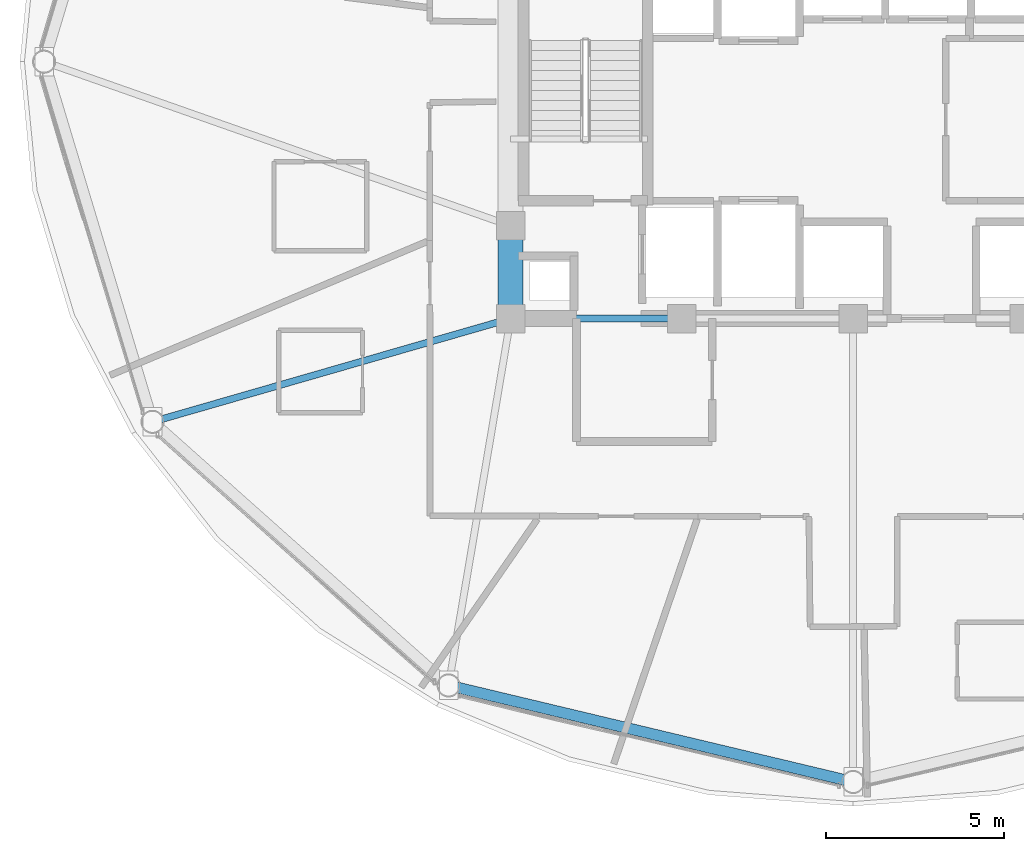
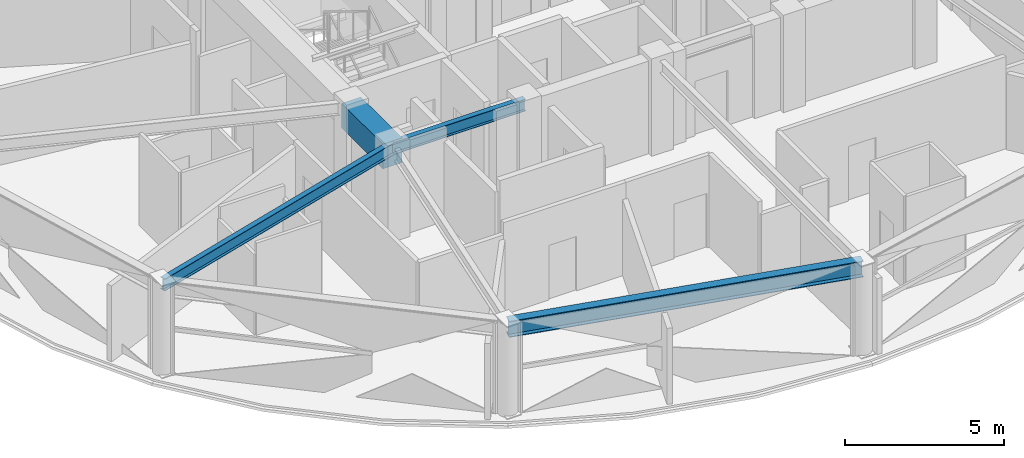
# One storey, part 4 of 30: 4 beams.
"""IFC4 building model written with IfcOpenShell, lengths in metres."""

from ifc_helpers import new_model, si_unit, direction, frame, origin, origin_2d, place, context, subcontext, project, spatial, rectangle, i_section, extrude, material, material_profile, profile_set, type_object, element, save


model = new_model("IFC4")

# Units and contexts
model_context = context("Model", 3, precision=1e-05, world=origin(), true_north=direction((0.0, 1.0)))
body_context = subcontext(model_context, "Body", "Model", "MODEL_VIEW")
ifc_project = project(units=[si_unit("LENGTHUNIT", "METRE"), si_unit("AREAUNIT", "SQUARE_METRE"), si_unit("VOLUMEUNIT", "CUBIC_METRE"), si_unit("PLANEANGLEUNIT", "RADIAN"), si_unit("MASSUNIT", "GRAM", prefix="KILO")], contexts=[model_context])

# Site, building, storey
site_placement = place(None, origin())
site = spatial("IfcSite", under=ifc_project, at=site_placement, CompositionType="ELEMENT")
building_placement = place(site_placement, origin())
building = spatial("IfcBuilding", under=site, at=building_placement, Name="Vantalir Tower", CompositionType="ELEMENT")
storey_placement = place(building_placement, frame((0.0, 0.0, 193.64990234375)))
storey = spatial("IfcBuildingStorey", under=building, at=storey_placement, Name="L48", CompositionType="ELEMENT", Elevation=193.64990234375)

# Beams
ifc_material_1 = material(Name="Concrete C60/75", Category="concrete")
ifc_material_profile_1 = material_profile(ifc_material_1, rectangle(XDim=0.699951171875, YDim=0.949951171875, at=origin_2d()), Name="Concrete C60/75")
ifc_profile_set_1 = profile_set([ifc_material_profile_1], Name="Concrete C60/75")
beam_type_1 = type_object("IfcBeamType", Name="BM-CB-700x950", PredefinedType="USERDEFINED", material=ifc_profile_set_1)
beam_1_placement = place(storey_placement, frame((21.89990234375, 20.39990234375, 3.09521484375), z_axis=(0.0, -1.0, 0.0), x_axis=(1.0, 0.0, 0.0)))
element("IfcBeam", 1, at=beam_1_placement, inside=storey, type_object=beam_type_1, Name="L48 Core Coupling Girder 14", ObjectType="GIRDER", PredefinedType="USERDEFINED", context=body_context, shape_type="SweptSolid", body=[
    extrude(rectangle(XDim=0.699951171875, YDim=0.949951171875, at=origin_2d()), origin(), (0.0, 0.0, 1.0), 2.599853515625),
])
ifc_material_2 = material(Name="Steel S355", Category="steel")
ifc_material_profile_2 = material_profile(ifc_material_2, i_section(OverallWidth=0.19189453125, OverallDepth=0.462890625, WebThickness=0.010498046875, FlangeThickness=0.017578125, at=origin_2d()), Name="Steel S355")
ifc_profile_set_2 = profile_set([ifc_material_profile_2], Name="Steel S355")
beam_type_2 = type_object("IfcBeamType", Name="BM-RB-457x191", PredefinedType="BEAM", material=ifc_profile_set_2)
beam_2_placement = place(storey_placement, frame((21.89990234375, 17.800048828125, 3.338134765625), z_axis=(1.0, 0.0, 0.0), x_axis=(0.0, 1.0, 0.0)))
element("IfcBeam", 2, at=beam_2_placement, inside=storey, type_object=beam_type_2, Name="L48 Core Coupling Girder 01", PredefinedType="BEAM", context=body_context, shape_type="SweptSolid", body=[
    extrude(i_section(OverallWidth=0.19189453125, OverallDepth=0.462890625, WebThickness=0.010498046875, FlangeThickness=0.017578125, at=origin_2d()), origin(), (0.0, 0.0, 1.0), 4.800048828125),
])
beam_3_placement = place(storey_placement, frame((11.862060546875, 14.906005859375, 3.338134765625), z_axis=(0.960861521684, 0.277029125089, 0.0), x_axis=(-0.277029125089, 0.960861521684, 0.0)))
element("IfcBeam", 3, at=beam_3_placement, inside=storey, type_object=beam_type_2, Name="L48 Radial Floor Beam 08", PredefinedType="BEAM", context=body_context, shape_type="SweptSolid", body=[
    extrude(i_section(OverallWidth=0.19189453125, OverallDepth=0.462890625, WebThickness=0.010498046875, FlangeThickness=0.017578125, at=origin_2d()), origin(), (0.0, 0.0, 1.0), 10.44677734375),
])
ifc_material_3 = material(Name="Steel S460", Category="steel")
ifc_material_profile_3 = material_profile(ifc_material_3, i_section(OverallWidth=0.306884765625, OverallDepth=0.6201171875, WebThickness=0.01416015625, FlangeThickness=0.023681640625, at=origin_2d()), Name="Steel S460")
ifc_profile_set_3 = profile_set([ifc_material_profile_3], Name="Steel S460")
beam_type_3 = type_object("IfcBeamType", Name="BM-RG-610x305", PredefinedType="USERDEFINED", material=ifc_profile_set_3)
beam_4_placement = place(storey_placement, frame((20.162109375, 7.51708984375, 3.260009765625), z_axis=(0.972698236559, -0.232073567206, 0.0), x_axis=(0.232073567206, 0.972698236559, 0.0)))
element("IfcBeam", 4, at=beam_4_placement, inside=storey, type_object=beam_type_3, Name="L48 Circumferential Ring Girder 09", ObjectType="GIRDER", PredefinedType="USERDEFINED", context=body_context, shape_type="SweptSolid", body=[
    extrude(i_section(OverallWidth=0.306884765625, OverallDepth=0.6201171875, WebThickness=0.01416015625, FlangeThickness=0.023681640625, at=origin_2d()), origin(), (0.0, 0.0, 1.0), 11.656005859375),
])

save(model, "model.ifc")
